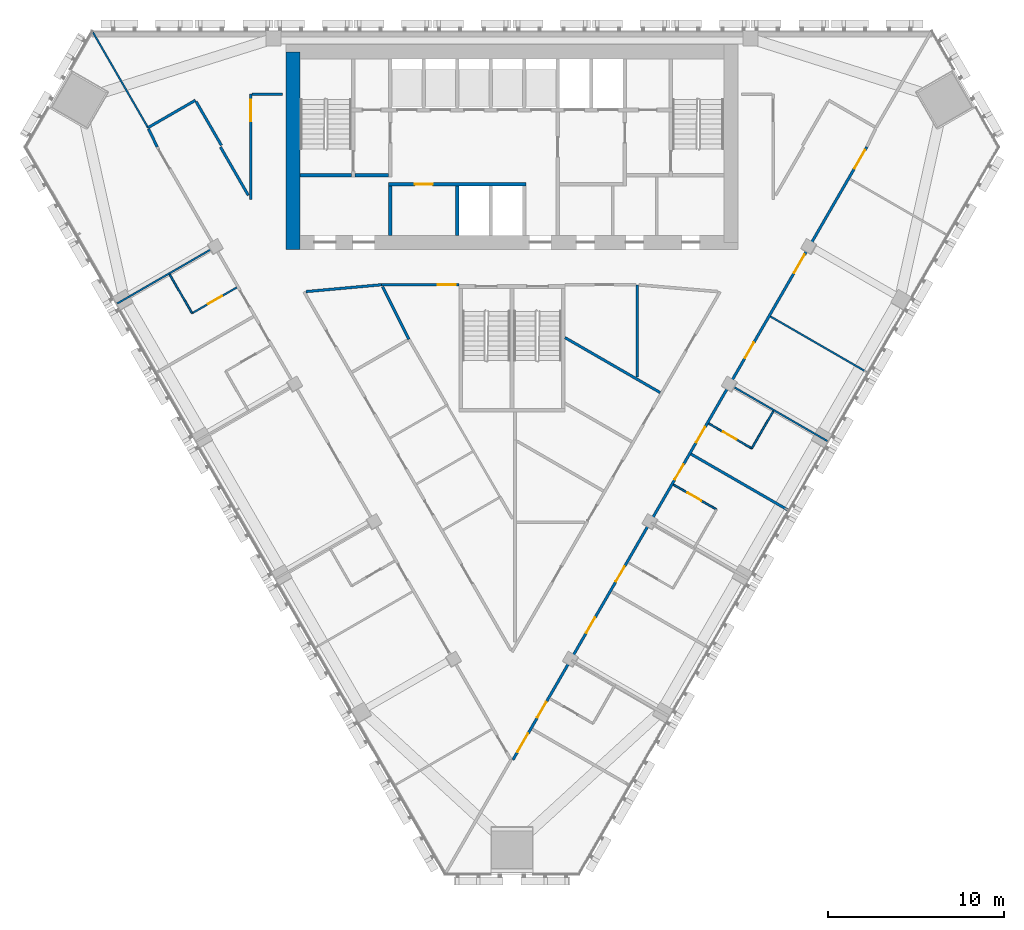
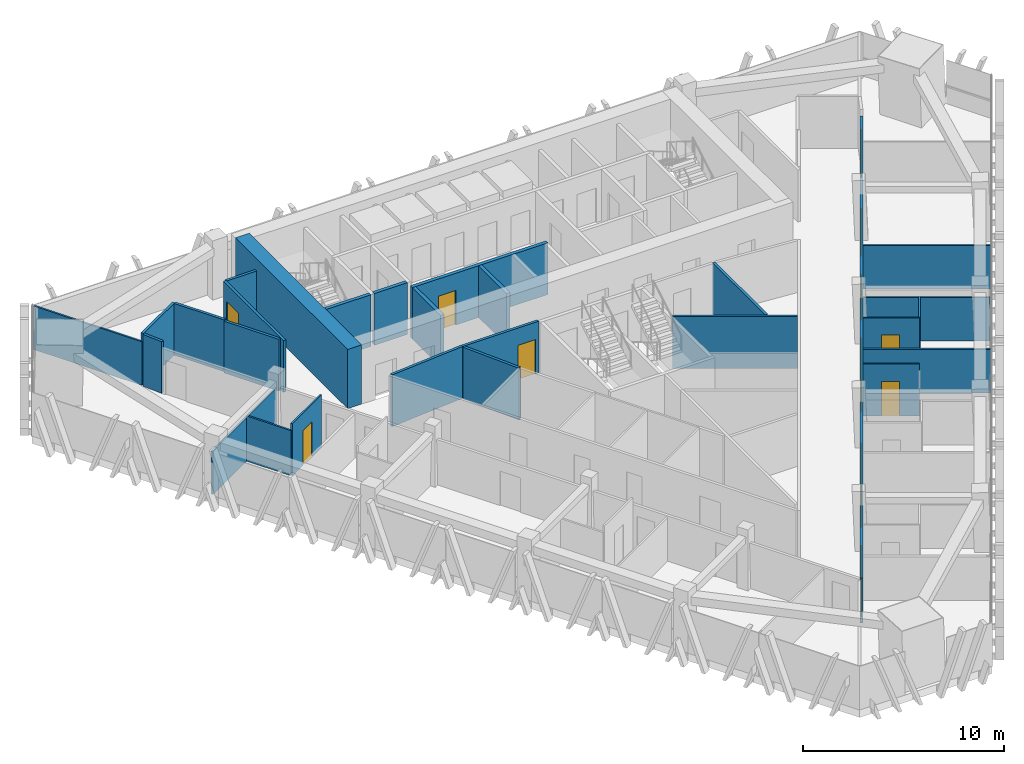
# One storey, part 10 of 16: 28 walls, 15 doors, 15 openings.
"""IFC4 building model written with IfcOpenShell, lengths in metres."""

from ifc_helpers import new_model, si_unit, direction, frame, frame_2d, origin, place, context, subcontext, project, spatial, rectangle, extrude, material, layer, layer_set, type_object, element, fill, save


model = new_model("IFC4")

# Units and contexts
model_context = context("Model", 3, precision=1e-05, world=origin(), true_north=direction((0.0, 1.0)))
body_context = subcontext(model_context, "Body", "Model", "MODEL_VIEW")
ifc_project = project(units=[si_unit("LENGTHUNIT", "METRE"), si_unit("AREAUNIT", "SQUARE_METRE"), si_unit("VOLUMEUNIT", "CUBIC_METRE"), si_unit("PLANEANGLEUNIT", "RADIAN"), si_unit("MASSUNIT", "GRAM", prefix="KILO")], contexts=[model_context])

# Site, building, storey
site_placement = place(None, origin())
site = spatial("IfcSite", under=ifc_project, at=site_placement, CompositionType="ELEMENT")
building_placement = place(site_placement, origin())
building = spatial("IfcBuilding", under=site, at=building_placement, Name="Altiplano Prism Tower", CompositionType="ELEMENT")
storey_placement = place(building_placement, frame((0.0, 0.0, 138.60009765625)))
storey = spatial("IfcBuildingStorey", under=building, at=storey_placement, Name="L35", CompositionType="ELEMENT", Elevation=138.60009765625)

# Wall
ifc_material_1 = material(Name="Concrete C60/75", Category="concrete")
ifc_layer_1 = layer(ifc_material_1, 0.800048828125)
ifc_layer_set_1 = layer_set([ifc_layer_1], Name="Concrete C60/75")
wall_type_1 = type_object("IfcWallType", Name="Core wall 800", PredefinedType="SHEAR", material=ifc_layer_set_1)
wall_1_placement = place(storey_placement, frame((72.60009765625, 103.800048828125, 0.0), z_axis=(0.0, 0.0, 1.0), x_axis=(0.0, -1.0, 0.0)))
element("IfcWall", 1, at=wall_1_placement, inside=storey, type_object=wall_type_1, Name="Core wall W L35", PredefinedType="SHEAR", context=body_context, shape_type="SweptSolid", body=[
    extrude(rectangle(XDim=11.199951171875, YDim=0.800048828125, at=frame_2d((5.60009765625, 0.0))), origin(), (0.0, 0.0, 1.0), 3.599853515625),
])

# Wall, opening, door
ifc_material_2 = material(Name="Plasterboard on steel stud", Category="steel")
ifc_layer_2 = layer(ifc_material_2, 0.10009765625)
ifc_layer_set_2 = layer_set([ifc_layer_2], Name="Plasterboard on steel stud")
wall_type_2 = type_object("IfcWallType", Name="Partition 100 unit", PredefinedType="PARTITIONING", material=ifc_layer_set_2)
wall_2_placement = place(storey_placement, frame((69.407470703125, 90.447021484375, 0.0), z_axis=(0.0, 0.0, 1.0), x_axis=(-0.866046596414, -0.499963291492, 0.0)))
wall_2 = element("IfcWall", 2, at=wall_2_placement, inside=storey, type_object=wall_type_2, Name="Partition P02 L35 030", PredefinedType="PARTITIONING", context=body_context, shape_type="SweptSolid", body=[
    extrude(rectangle(XDim=2.925048828125, YDim=0.10009765625, at=frame_2d((1.46240234375, 0.0))), origin(), (0.0, 0.0, 1.0), 3.14990234375),
])
opening_1_placement = place(wall_2_placement, frame((0.97509765625, 0.0, 0.0)))
opening_1 = element("IfcOpeningElement", 3, at=opening_1_placement, cuts=wall_2, Name="Opening D1265", PredefinedType="OPENING", context=body_context, shape_type="SweptSolid", body=[
    extrude(rectangle(XDim=0.89990234375, YDim=2.10009765625, at=frame_2d((0.449951171875, 1.050048828125))), frame((0.0, 0.060546875, 0.0), z_axis=(0.0, -1.0, 0.0), x_axis=(1.0, 0.0, 0.0)), (0.0, 0.0, 1.0), 0.12109375),
])
ifc_material_3 = material(Name="Timber", Category="wood")
door_type_1 = type_object("IfcDoorType", Name="Ensuite door 900 x 2100", OperationType="NOTDEFINED", PredefinedType="NOTDEFINED", material=ifc_material_3)
door_1_placement = place(opening_1_placement, origin())
door_1 = element("IfcDoor", 4, at=door_1_placement, inside=storey, type_object=door_type_1, Name="Door D1265", OperationType="SINGLE_SWING_RIGHT", OverallHeight=2.10009765625, OverallWidth=0.89990234375, PredefinedType="NOTDEFINED", context=body_context, shape_type="SweptSolid", body=[
    extrude(rectangle(XDim=0.89990234375, YDim=2.10009765625, at=frame_2d((0.449951171875, 1.050048828125))), frame((0.0, 0.02490234375, 0.0), z_axis=(0.0, -1.0, 0.0), x_axis=(1.0, 0.0, 0.0)), (0.0, 0.0, 1.0), 0.050048828125),
])
fill(opening_1, door_1)

# Wall
wall_3_placement = place(storey_placement, frame((66.874267578125, 88.984619140625, 0.0), z_axis=(0.0, 0.0, 1.0), x_axis=(-0.500062241894, 0.865989465428, 0.0)))
element("IfcWall", 5, at=wall_3_placement, inside=storey, type_object=wall_type_2, Name="Partition P02 L35 031", PredefinedType="PARTITIONING", context=body_context, shape_type="SweptSolid", body=[
    extrude(rectangle(XDim=2.550048828125, YDim=0.10009765625, at=frame_2d((1.27490234375, 0.0))), origin(), (0.0, 0.0, 1.0), 2.75),
])

# Wall, opening, door
wall_4_placement = place(storey_placement, frame((94.142578125, 79.275390625, 0.0), z_axis=(0.0, 0.0, 1.0), x_axis=(0.866011447264, -0.500024172624, 0.0)))
wall_4 = element("IfcWall", 6, at=wall_4_placement, inside=storey, type_object=wall_type_2, Name="Partition P02 L35 052", PredefinedType="PARTITIONING", context=body_context, shape_type="SweptSolid", body=[
    extrude(rectangle(XDim=2.824951171875, YDim=0.10009765625, at=frame_2d((1.41259765625, 0.0))), origin(), (0.0, 0.0, 1.0), 3.14990234375),
])
opening_2_placement = place(wall_4_placement, frame((0.925048828125, 0.0, 0.0)))
opening_2 = element("IfcOpeningElement", 7, at=opening_2_placement, cuts=wall_4, Name="Opening D1280", PredefinedType="OPENING", context=body_context, shape_type="SweptSolid", body=[
    extrude(rectangle(XDim=0.89990234375, YDim=2.10009765625, at=frame_2d((0.449951171875, 1.050048828125))), frame((0.0, 0.060546875, 0.0), z_axis=(0.0, -1.0, 0.0), x_axis=(1.0, 0.0, 0.0)), (0.0, 0.0, 1.0), 0.12109375),
])
door_2_placement = place(opening_2_placement, origin())
door_2 = element("IfcDoor", 8, at=door_2_placement, inside=storey, type_object=door_type_1, Name="Door D1280", OperationType="SINGLE_SWING_LEFT", OverallHeight=2.10009765625, OverallWidth=0.89990234375, PredefinedType="NOTDEFINED", context=body_context, shape_type="SweptSolid", body=[
    extrude(rectangle(XDim=0.89990234375, YDim=2.10009765625, at=frame_2d((0.449951171875, 1.050048828125))), frame((0.0, 0.02490234375, 0.0), z_axis=(0.0, -1.0, 0.0), x_axis=(1.0, 0.0, 0.0)), (0.0, 0.0, 1.0), 0.050048828125),
])
fill(opening_2, door_2)

# Wall
wall_5_placement = place(storey_placement, frame((99.814208984375, 83.44873046875, 0.0), z_axis=(0.0, 0.0, 1.0), x_axis=(-0.500018594424, -0.866014668023, 0.0)))
element("IfcWall", 9, at=wall_5_placement, inside=storey, type_object=wall_type_2, Name="Partition P02 L35 055", PredefinedType="PARTITIONING", context=body_context, shape_type="SweptSolid", body=[
    extrude(rectangle(XDim=2.4501953125, YDim=0.10009765625, at=frame_2d((1.22509765625, 0.0))), origin(), (0.0, 0.0, 1.0), 2.75),
])

# Wall, opening, door
wall_6_placement = place(storey_placement, frame((98.589111328125, 81.326904296875, 0.0), z_axis=(0.0, 0.0, 1.0), x_axis=(-0.866011447264, 0.500024172624, 0.0)))
wall_6 = element("IfcWall", 10, at=wall_6_placement, inside=storey, type_object=wall_type_2, Name="Partition P02 L35 056", PredefinedType="PARTITIONING", context=body_context, shape_type="SweptSolid", body=[
    extrude(rectangle(XDim=2.824951171875, YDim=0.10009765625, at=frame_2d((1.41259765625, 0.0))), origin(), (0.0, 0.0, 1.0), 3.14990234375),
])
opening_3_placement = place(wall_6_placement, frame((1.0, 0.0, 0.0)))
opening_3 = element("IfcOpeningElement", 11, at=opening_3_placement, cuts=wall_6, Name="Opening D1282", PredefinedType="OPENING", context=body_context, shape_type="SweptSolid", body=[
    extrude(rectangle(XDim=0.89990234375, YDim=2.10009765625, at=frame_2d((0.449951171875, 1.050048828125))), frame((0.0, 0.060546875, 0.0), z_axis=(0.0, -1.0, 0.0), x_axis=(1.0, 0.0, 0.0)), (0.0, 0.0, 1.0), 0.12109375),
])
door_3_placement = place(opening_3_placement, origin())
door_3 = element("IfcDoor", 12, at=door_3_placement, inside=storey, type_object=door_type_1, Name="Door D1282", OperationType="SINGLE_SWING_LEFT", OverallHeight=2.10009765625, OverallWidth=0.89990234375, PredefinedType="NOTDEFINED", context=body_context, shape_type="SweptSolid", body=[
    extrude(rectangle(XDim=0.89990234375, YDim=2.10009765625, at=frame_2d((0.449951171875, 1.050048828125))), frame((0.0, 0.02490234375, 0.0), z_axis=(0.0, -1.0, 0.0), x_axis=(1.0, 0.0, 0.0)), (0.0, 0.0, 1.0), 0.050048828125),
])
fill(opening_3, door_3)

# Walls
ifc_layer_3 = layer(ifc_material_2, 0.10009765625)
ifc_layer_set_3 = layer_set([ifc_layer_3], Name="Plasterboard on steel stud")
wall_type_3 = type_object("IfcWallType", Name="Partition 100 wet", PredefinedType="PARTITIONING", material=ifc_layer_set_3)
wall_7_placement = place(storey_placement, frame((62.629638671875, 89.536376953125, 0.0), z_axis=(0.0, 0.0, 1.0), x_axis=(0.866042250622, 0.499970819286, 0.0)))
element("IfcWall", 13, at=wall_7_placement, inside=storey, type_object=wall_type_3, Name="Partition P03 L35 028", PredefinedType="PARTITIONING", context=body_context, shape_type="SweptSolid", body=[
    extrude(rectangle(XDim=6.3251953125, YDim=0.10009765625, at=frame_2d((3.16259765625, 0.0))), origin(), (0.0, 0.0, 1.0), 2.64990234375),
])
wall_8_placement = place(storey_placement, frame((64.375732421875, 99.5, 0.0), z_axis=(0.0, 0.0, 1.0), x_axis=(-0.500004896655, 0.866022576681, 0.0)))
element("IfcWall", 14, at=wall_8_placement, inside=storey, type_object=wall_type_3, Name="Partition P03 L35 029", PredefinedType="PARTITIONING", context=body_context, shape_type="SweptSolid", body=[
    extrude(rectangle(XDim=6.2353515625, YDim=0.10009765625, at=frame_2d((3.11767578125, 0.0))), origin(), (0.0, 0.0, 1.0), 2.64990234375),
])
wall_9_placement = place(storey_placement, frame((102.870361328125, 81.741943359375, 0.0), z_axis=(0.0, 0.0, 1.0), x_axis=(-0.866025537322, 0.499999768706, 0.0)))
element("IfcWall", 15, at=wall_9_placement, inside=storey, type_object=wall_type_3, Name="Partition P03 L35 057", PredefinedType="PARTITIONING", context=body_context, shape_type="SweptSolid", body=[
    extrude(rectangle(XDim=6.3251953125, YDim=0.10009765625, at=frame_2d((3.16259765625, 0.0))), origin(), (0.0, 0.0, 1.0), 2.64990234375),
])
wall_10_placement = place(storey_placement, frame((105.1376953125, 85.629150390625, 0.0), z_axis=(0.0, 0.0, 1.0), x_axis=(-0.866025401434, 0.500000004071, 0.0)))
element("IfcWall", 16, at=wall_10_placement, inside=storey, type_object=wall_type_3, Name="Partition P03 L35 058", PredefinedType="PARTITIONING", context=body_context, shape_type="SweptSolid", body=[
    extrude(rectangle(XDim=6.34521484375, YDim=0.10009765625, at=frame_2d((3.172607421875, 0.0))), origin(), (0.0, 0.0, 1.0), 2.64990234375),
])
ifc_layer_4 = layer(ifc_material_2, 0.14990234375)
ifc_layer_set_4 = layer_set([ifc_layer_4], Name="Plasterboard on steel stud")
wall_type_4 = type_object("IfcWallType", Name="Partition 150 corridor", PredefinedType="PARTITIONING", material=ifc_layer_set_4)
wall_11_placement = place(storey_placement, frame((64.40673828125, 99.431884765625, 0.0), z_axis=(0.0, 0.0, 1.0), x_axis=(0.432647343943, -0.901563240033, 0.0)))
element("IfcWall", 17, at=wall_11_placement, inside=storey, type_object=wall_type_4, Name="Partition P06 L35 003", PredefinedType="PARTITIONING", context=body_context, shape_type="SweptSolid", body=[
    extrude(rectangle(XDim=1.1376953125, YDim=0.14990234375, at=frame_2d((0.56884765625, 0.0))), origin(), (0.0, 0.0, 1.0), 3.14990234375),
])

# Wall, openings, doors
wall_12_placement = place(storey_placement, frame((85.05419921875, 63.68359375, 0.0), z_axis=(0.0, 0.0, 1.0), x_axis=(0.499999704591, 0.866025574339, 0.0)))
wall_12 = element("IfcWall", 18, at=wall_12_placement, inside=storey, type_object=wall_type_4, Name="Partition P06 L35 005", PredefinedType="PARTITIONING", context=body_context, shape_type="SweptSolid", body=[
    extrude(rectangle(XDim=40.09423828125, YDim=0.14990234375, at=frame_2d((20.047119140625, 0.0))), origin(), (0.0, 0.0, 1.0), 2.75),
])
opening_4_placement = place(wall_12_placement, frame((0.506103515625, 0.0, 0.0)))
opening_4 = element("IfcOpeningElement", 19, at=opening_4_placement, cuts=wall_12, Name="Opening D1273", PredefinedType="OPENING", context=body_context, shape_type="SweptSolid", body=[
    extrude(rectangle(XDim=1.199951171875, YDim=2.10009765625, at=frame_2d((0.60009765625, 1.050048828125))), frame((0.0, 0.08544921875, 0.0), z_axis=(0.0, -1.0, 0.0), x_axis=(1.0, 0.0, 0.0)), (0.0, 0.0, 1.0), 0.1708984375),
])
opening_5_placement = place(wall_12_placement, frame((2.76708984375, 0.0, 0.0)))
opening_5 = element("IfcOpeningElement", 20, at=opening_5_placement, cuts=wall_12, Name="Opening D1274", PredefinedType="OPENING", context=body_context, shape_type="SweptSolid", body=[
    extrude(rectangle(XDim=1.0, YDim=2.10009765625, at=frame_2d((0.5, 1.050048828125))), frame((0.0, 0.08544921875, 0.0), z_axis=(0.0, -1.0, 0.0), x_axis=(1.0, 0.0, 0.0)), (0.0, 0.0, 1.0), 0.1708984375),
])
opening_6_placement = place(wall_12_placement, frame((8.297119140625, 0.0, 0.0)))
opening_6 = element("IfcOpeningElement", 21, at=opening_6_placement, cuts=wall_12, Name="Opening D1276", PredefinedType="OPENING", context=body_context, shape_type="SweptSolid", body=[
    extrude(rectangle(XDim=1.0, YDim=2.10009765625, at=frame_2d((0.5, 1.050048828125))), frame((0.0, 0.08544921875, 0.0), z_axis=(0.0, -1.0, 0.0), x_axis=(1.0, 0.0, 0.0)), (0.0, 0.0, 1.0), 0.1708984375),
])
opening_7_placement = place(wall_12_placement, frame((11.652099609375, 0.0, 0.0)))
opening_7 = element("IfcOpeningElement", 22, at=opening_7_placement, cuts=wall_12, Name="Opening D1277", PredefinedType="OPENING", context=body_context, shape_type="SweptSolid", body=[
    extrude(rectangle(XDim=1.0, YDim=2.10009765625, at=frame_2d((0.5, 1.050048828125))), frame((0.0, 0.08544921875, 0.0), z_axis=(0.0, -1.0, 0.0), x_axis=(1.0, 0.0, 0.0)), (0.0, 0.0, 1.0), 0.1708984375),
])
opening_8_placement = place(wall_12_placement, frame((18.326904296875, 0.0, 0.0)))
opening_8 = element("IfcOpeningElement", 23, at=opening_8_placement, cuts=wall_12, Name="Opening D1279", PredefinedType="OPENING", context=body_context, shape_type="SweptSolid", body=[
    extrude(rectangle(XDim=1.0, YDim=2.10009765625, at=frame_2d((0.5, 1.050048828125))), frame((0.0, 0.08544921875, 0.0), z_axis=(0.0, -1.0, 0.0), x_axis=(1.0, 0.0, 0.0)), (0.0, 0.0, 1.0), 0.1708984375),
])
opening_9_placement = place(wall_12_placement, frame((20.76708984375, 0.0, 0.0)))
opening_9 = element("IfcOpeningElement", 24, at=opening_9_placement, cuts=wall_12, Name="Opening D1281", PredefinedType="OPENING", context=body_context, shape_type="SweptSolid", body=[
    extrude(rectangle(XDim=1.0, YDim=2.10009765625, at=frame_2d((0.5, 1.050048828125))), frame((0.0, 0.08544921875, 0.0), z_axis=(0.0, -1.0, 0.0), x_axis=(1.0, 0.0, 0.0)), (0.0, 0.0, 1.0), 0.1708984375),
])
opening_10_placement = place(wall_12_placement, frame((26.297119140625, 0.0, 0.0)))
opening_10 = element("IfcOpeningElement", 25, at=opening_10_placement, cuts=wall_12, Name="Opening D1283", PredefinedType="OPENING", context=body_context, shape_type="SweptSolid", body=[
    extrude(rectangle(XDim=1.0, YDim=2.10009765625, at=frame_2d((0.5, 1.050048828125))), frame((0.0, 0.08544921875, 0.0), z_axis=(0.0, -1.0, 0.0), x_axis=(1.0, 0.0, 0.0)), (0.0, 0.0, 1.0), 0.1708984375),
])
opening_11_placement = place(wall_12_placement, frame((31.846923828125, 0.0, 0.0)))
opening_11 = element("IfcOpeningElement", 26, at=opening_11_placement, cuts=wall_12, Name="Opening D1284", PredefinedType="OPENING", context=body_context, shape_type="SweptSolid", body=[
    extrude(rectangle(XDim=1.199951171875, YDim=2.10009765625, at=frame_2d((0.60009765625, 1.050048828125))), frame((0.0, 0.08544921875, 0.0), z_axis=(0.0, -1.0, 0.0), x_axis=(1.0, 0.0, 0.0)), (0.0, 0.0, 1.0), 0.1708984375),
])
opening_12_placement = place(wall_12_placement, frame((38.694091796875, 0.0, 0.0)))
opening_12 = element("IfcOpeningElement", 27, at=opening_12_placement, cuts=wall_12, Name="Opening D1285", PredefinedType="OPENING", context=body_context, shape_type="SweptSolid", body=[
    extrude(rectangle(XDim=1.199951171875, YDim=2.10009765625, at=frame_2d((0.60009765625, 1.050048828125))), frame((0.0, 0.08544921875, 0.0), z_axis=(0.0, -1.0, 0.0), x_axis=(1.0, 0.0, 0.0)), (0.0, 0.0, 1.0), 0.1708984375),
])
door_type_2 = type_object("IfcDoorType", Name="Bedroom entrance door 1000 x 2100", OperationType="NOTDEFINED", PredefinedType="NOTDEFINED", material=ifc_material_3)
door_4_placement = place(opening_5_placement, origin())
door_4 = element("IfcDoor", 28, at=door_4_placement, inside=storey, type_object=door_type_2, Name="Door D1274", OperationType="SINGLE_SWING_RIGHT", OverallHeight=2.10009765625, OverallWidth=1.0, PredefinedType="NOTDEFINED", context=body_context, shape_type="SweptSolid", body=[
    extrude(rectangle(XDim=1.0, YDim=2.10009765625, at=frame_2d((0.5, 1.050048828125))), frame((0.0, 0.02490234375, 0.0), z_axis=(0.0, -1.0, 0.0), x_axis=(1.0, 0.0, 0.0)), (0.0, 0.0, 1.0), 0.050048828125),
])
fill(opening_5, door_4)
door_5_placement = place(opening_7_placement, origin())
door_5 = element("IfcDoor", 29, at=door_5_placement, inside=storey, type_object=door_type_2, Name="Door D1277", OperationType="SINGLE_SWING_LEFT", OverallHeight=2.10009765625, OverallWidth=1.0, PredefinedType="NOTDEFINED", context=body_context, shape_type="SweptSolid", body=[
    extrude(rectangle(XDim=1.0, YDim=2.10009765625, at=frame_2d((0.5, 1.050048828125))), frame((0.0, 0.02490234375, 0.0), z_axis=(0.0, -1.0, 0.0), x_axis=(1.0, 0.0, 0.0)), (0.0, 0.0, 1.0), 0.050048828125),
])
fill(opening_7, door_5)
door_6_placement = place(opening_8_placement, origin())
door_6 = element("IfcDoor", 30, at=door_6_placement, inside=storey, type_object=door_type_2, Name="Door D1279", OperationType="SINGLE_SWING_LEFT", OverallHeight=2.10009765625, OverallWidth=1.0, PredefinedType="NOTDEFINED", context=body_context, shape_type="SweptSolid", body=[
    extrude(rectangle(XDim=1.0, YDim=2.10009765625, at=frame_2d((0.5, 1.050048828125))), frame((0.0, 0.02490234375, 0.0), z_axis=(0.0, -1.0, 0.0), x_axis=(1.0, 0.0, 0.0)), (0.0, 0.0, 1.0), 0.050048828125),
])
fill(opening_8, door_6)
door_7_placement = place(opening_9_placement, origin())
door_7 = element("IfcDoor", 31, at=door_7_placement, inside=storey, type_object=door_type_2, Name="Door D1281", OperationType="SINGLE_SWING_LEFT", OverallHeight=2.10009765625, OverallWidth=1.0, PredefinedType="NOTDEFINED", context=body_context, shape_type="SweptSolid", body=[
    extrude(rectangle(XDim=1.0, YDim=2.10009765625, at=frame_2d((0.5, 1.050048828125))), frame((0.0, 0.02490234375, 0.0), z_axis=(0.0, -1.0, 0.0), x_axis=(1.0, 0.0, 0.0)), (0.0, 0.0, 1.0), 0.050048828125),
])
fill(opening_9, door_7)
door_type_3 = type_object("IfcDoorType", Name="Room door 1000 x 2100", OperationType="NOTDEFINED", PredefinedType="NOTDEFINED", material=ifc_material_3)
door_8_placement = place(opening_6_placement, origin())
door_8 = element("IfcDoor", 32, at=door_8_placement, inside=storey, type_object=door_type_3, Name="Door D1276", OperationType="SINGLE_SWING_LEFT", OverallHeight=2.10009765625, OverallWidth=1.0, PredefinedType="NOTDEFINED", context=body_context, shape_type="SweptSolid", body=[
    extrude(rectangle(XDim=1.0, YDim=2.10009765625, at=frame_2d((0.5, 1.050048828125))), frame((0.0, 0.02490234375, 0.0), z_axis=(0.0, -1.0, 0.0), x_axis=(1.0, 0.0, 0.0)), (0.0, 0.0, 1.0), 0.050048828125),
])
fill(opening_6, door_8)
door_9_placement = place(opening_10_placement, origin())
door_9 = element("IfcDoor", 33, at=door_9_placement, inside=storey, type_object=door_type_3, Name="Door D1283", OperationType="SINGLE_SWING_RIGHT", OverallHeight=2.10009765625, OverallWidth=1.0, PredefinedType="NOTDEFINED", context=body_context, shape_type="SweptSolid", body=[
    extrude(rectangle(XDim=1.0, YDim=2.10009765625, at=frame_2d((0.5, 1.050048828125))), frame((0.0, 0.02490234375, 0.0), z_axis=(0.0, -1.0, 0.0), x_axis=(1.0, 0.0, 0.0)), (0.0, 0.0, 1.0), 0.050048828125),
])
fill(opening_10, door_9)
door_type_4 = type_object("IfcDoorType", Name="Shared room door 1200 x 2100", OperationType="NOTDEFINED", PredefinedType="NOTDEFINED", material=ifc_material_3)
door_10_placement = place(opening_4_placement, origin())
door_10 = element("IfcDoor", 34, at=door_10_placement, inside=storey, type_object=door_type_4, Name="Door D1273", OperationType="SINGLE_SWING_RIGHT", OverallHeight=2.10009765625, OverallWidth=1.199951171875, PredefinedType="NOTDEFINED", context=body_context, shape_type="SweptSolid", body=[
    extrude(rectangle(XDim=1.199951171875, YDim=2.10009765625, at=frame_2d((0.60009765625, 1.050048828125))), frame((0.0, 0.02490234375, 0.0), z_axis=(0.0, -1.0, 0.0), x_axis=(1.0, 0.0, 0.0)), (0.0, 0.0, 1.0), 0.050048828125),
])
fill(opening_4, door_10)
door_11_placement = place(opening_11_placement, origin())
door_11 = element("IfcDoor", 35, at=door_11_placement, inside=storey, type_object=door_type_4, Name="Door D1284", OperationType="SINGLE_SWING_RIGHT", OverallHeight=2.10009765625, OverallWidth=1.199951171875, PredefinedType="NOTDEFINED", context=body_context, shape_type="SweptSolid", body=[
    extrude(rectangle(XDim=1.199951171875, YDim=2.10009765625, at=frame_2d((0.60009765625, 1.050048828125))), frame((0.0, 0.02490234375, 0.0), z_axis=(0.0, -1.0, 0.0), x_axis=(1.0, 0.0, 0.0)), (0.0, 0.0, 1.0), 0.050048828125),
])
fill(opening_11, door_11)
door_12_placement = place(opening_12_placement, origin())
door_12 = element("IfcDoor", 36, at=door_12_placement, inside=storey, type_object=door_type_4, Name="Door D1285", OperationType="SINGLE_SWING_RIGHT", OverallHeight=2.10009765625, OverallWidth=1.199951171875, PredefinedType="NOTDEFINED", context=body_context, shape_type="SweptSolid", body=[
    extrude(rectangle(XDim=1.199951171875, YDim=2.10009765625, at=frame_2d((0.60009765625, 1.050048828125))), frame((0.0, 0.02490234375, 0.0), z_axis=(0.0, -1.0, 0.0), x_axis=(1.0, 0.0, 0.0)), (0.0, 0.0, 1.0), 0.050048828125),
])
fill(opening_12, door_12)

# Wall
wall_13_placement = place(storey_placement, frame((72.0, 101.39990234375, 0.0), z_axis=(0.0, 0.0, 1.0), x_axis=(-1.0, 0.0, 0.0)))
element("IfcWall", 37, at=wall_13_placement, inside=storey, type_object=wall_type_4, Name="Partition P06 L35 012", PredefinedType="PARTITIONING", context=body_context, shape_type="SweptSolid", body=[
    extrude(rectangle(XDim=1.72509765625, YDim=0.14990234375, at=frame_2d((0.862548828125, 0.0))), origin(), (0.0, 0.0, 1.0), 3.14990234375),
])

# Wall, opening, door
wall_14_placement = place(storey_placement, frame((70.199951171875, 101.39990234375, 0.0), z_axis=(0.0, 0.0, 1.0), x_axis=(0.0, -1.0, 0.0)))
wall_14 = element("IfcWall", 38, at=wall_14_placement, inside=storey, type_object=wall_type_4, Name="Partition P06 L35 013", PredefinedType="PARTITIONING", context=body_context, shape_type="SweptSolid", body=[
    extrude(rectangle(XDim=5.9755859375, YDim=0.14990234375, at=frame_2d((2.98779296875, 0.0))), origin(), (0.0, 0.0, 1.0), 3.14990234375),
])
opening_13_placement = place(wall_14_placement, frame((0.3291015625, 0.0, 0.0)))
opening_13 = element("IfcOpeningElement", 39, at=opening_13_placement, cuts=wall_14, Name="Opening D1287", PredefinedType="OPENING", context=body_context, shape_type="SweptSolid", body=[
    extrude(rectangle(XDim=1.199951171875, YDim=2.10009765625, at=frame_2d((0.60009765625, 1.050048828125))), frame((0.0, 0.08544921875, 0.0), z_axis=(0.0, -1.0, 0.0), x_axis=(1.0, 0.0, 0.0)), (0.0, 0.0, 1.0), 0.1708984375),
])
door_13_placement = place(opening_13_placement, origin())
door_13 = element("IfcDoor", 40, at=door_13_placement, inside=storey, type_object=door_type_4, Name="Door D1287", OperationType="SINGLE_SWING_LEFT", OverallHeight=2.10009765625, OverallWidth=1.199951171875, PredefinedType="NOTDEFINED", context=body_context, shape_type="SweptSolid", body=[
    extrude(rectangle(XDim=1.199951171875, YDim=2.10009765625, at=frame_2d((0.60009765625, 1.050048828125))), frame((0.0, 0.02490234375, 0.0), z_axis=(0.0, -1.0, 0.0), x_axis=(1.0, 0.0, 0.0)), (0.0, 0.0, 1.0), 0.050048828125),
])
fill(opening_13, door_13)

# Walls
wall_15_placement = place(storey_placement, frame((70.06005859375, 95.66650390625, 0.0), z_axis=(0.0, 0.0, 1.0), x_axis=(-0.499998569178, 0.866026229868, 0.0)))
element("IfcWall", 41, at=wall_15_placement, inside=storey, type_object=wall_type_4, Name="Partition P06 L35 014", PredefinedType="PARTITIONING", context=body_context, shape_type="SweptSolid", body=[
    extrude(rectangle(XDim=3.16357421875, YDim=0.14990234375, at=frame_2d((1.581787109375, 0.0))), origin(), (0.0, 0.0, 1.0), 3.14990234375),
])
wall_16_placement = place(storey_placement, frame((68.532470703125, 98.5, 0.0), z_axis=(0.0, 0.0, 1.0), x_axis=(-0.499945861543, 0.866056658381, 0.0)))
element("IfcWall", 42, at=wall_16_placement, inside=storey, type_object=wall_type_4, Name="Partition P06 L35 015", PredefinedType="PARTITIONING", context=body_context, shape_type="SweptSolid", body=[
    extrude(rectangle(XDim=2.869384765625, YDim=0.14990234375, at=frame_2d((1.4345703125, 0.0))), origin(), (0.0, 0.0, 1.0), 3.14990234375),
])
wall_17_placement = place(storey_placement, frame((67.060302734375, 101.050048828125, 0.0), z_axis=(0.0, 0.0, 1.0), x_axis=(-0.86600983753, -0.500026960575, 0.0)))
element("IfcWall", 43, at=wall_17_placement, inside=storey, type_object=wall_type_4, Name="Partition P06 L35 016", PredefinedType="PARTITIONING", context=body_context, shape_type="SweptSolid", body=[
    extrude(rectangle(XDim=3.099853515625, YDim=0.14990234375, at=frame_2d((1.5498046875, 0.0))), origin(), (0.0, 0.0, 1.0), 3.14990234375),
])

# Wall, opening, door
wall_18_placement = place(storey_placement, frame((77.60888671875, 90.59912109375, 0.0), z_axis=(0.0, 0.0, 1.0), x_axis=(0.99999997527, 0.000222395191, 0.0)))
wall_18 = element("IfcWall", 44, at=wall_18_placement, inside=storey, type_object=wall_type_4, Name="Partition P06 L35 017", PredefinedType="PARTITIONING", context=body_context, shape_type="SweptSolid", body=[
    extrude(rectangle(XDim=4.39111328125, YDim=0.14990234375, at=frame_2d((2.195556640625, 0.0))), origin(), (0.0, 0.0, 1.0), 3.14990234375),
])
opening_14_placement = place(wall_18_placement, frame((3.19091796875, 0.0, 0.0)))
opening_14 = element("IfcOpeningElement", 45, at=opening_14_placement, cuts=wall_18, Name="Opening D1288", PredefinedType="OPENING", context=body_context, shape_type="SweptSolid", body=[
    extrude(rectangle(XDim=1.0, YDim=2.10009765625, at=frame_2d((0.5, 1.050048828125))), frame((0.0, 0.08544921875, 0.0), z_axis=(0.0, -1.0, 0.0), x_axis=(1.0, 0.0, 0.0)), (0.0, 0.0, 1.0), 0.1708984375),
])
door_type_5 = type_object("IfcDoorType", Name="Store door 1000 x 2100", OperationType="NOTDEFINED", PredefinedType="NOTDEFINED", material=ifc_material_3)
door_14_placement = place(opening_14_placement, origin())
door_14 = element("IfcDoor", 46, at=door_14_placement, inside=storey, type_object=door_type_5, Name="Door D1288", OperationType="SINGLE_SWING_LEFT", OverallHeight=2.10009765625, OverallWidth=1.0, PredefinedType="NOTDEFINED", context=body_context, shape_type="SweptSolid", body=[
    extrude(rectangle(XDim=1.0, YDim=2.10009765625, at=frame_2d((0.5, 1.050048828125))), frame((0.0, 0.02490234375, 0.0), z_axis=(0.0, -1.0, 0.0), x_axis=(1.0, 0.0, 0.0)), (0.0, 0.0, 1.0), 0.050048828125),
])
fill(opening_14, door_14)

# Walls
wall_19_placement = place(storey_placement, frame((73.3330078125, 90.210693359375, 0.0), z_axis=(0.0, 0.0, 1.0), x_axis=(0.995899263414, 0.090469094901, 0.0)))
element("IfcWall", 47, at=wall_19_placement, inside=storey, type_object=wall_type_4, Name="Partition P06 L35 019", PredefinedType="PARTITIONING", context=body_context, shape_type="SweptSolid", body=[
    extrude(rectangle(XDim=4.29345703125, YDim=0.14990234375, at=frame_2d((2.146728515625, 0.0))), origin(), (0.0, 0.0, 1.0), 3.14990234375),
])
ifc_layer_5 = layer(ifc_material_2, 0.14990234375)
ifc_layer_set_5 = layer_set([ifc_layer_5], Name="Plasterboard on steel stud")
wall_type_5 = type_object("IfcWallType", Name="Partition 150 party", PredefinedType="PARTITIONING", material=ifc_layer_set_5)
wall_20_placement = place(storey_placement, frame((100.6376953125, 77.834716796875, 0.0), z_axis=(0.0, 0.0, 1.0), x_axis=(-0.866025401434, 0.500000004071, 0.0)))
element("IfcWall", 48, at=wall_20_placement, inside=storey, type_object=wall_type_5, Name="Partition P01 L35 054", PredefinedType="PARTITIONING", context=body_context, shape_type="SweptSolid", body=[
    extrude(rectangle(XDim=6.34521484375, YDim=0.14990234375, at=frame_2d((3.172607421875, 0.0))), origin(), (0.0, 0.0, 1.0), 2.64990234375),
])
wall_21_placement = place(storey_placement, frame((77.66357421875, 90.490234375, 0.0), z_axis=(0.0, 0.0, 1.0), x_axis=(0.449114371816, -0.893474275527, 0.0)))
element("IfcWall", 49, at=wall_21_placement, inside=storey, type_object=wall_type_5, Name="Partition P01 L35 064", PredefinedType="PARTITIONING", context=body_context, shape_type="SweptSolid", body=[
    extrude(rectangle(XDim=3.337646484375, YDim=0.14990234375, at=frame_2d((1.6689453125, 0.0))), origin(), (0.0, 0.0, 1.0), 3.14990234375),
])
wall_22_placement = place(storey_placement, frame((93.399658203125, 84.48828125, 0.0), z_axis=(0.0, 0.0, 1.0), x_axis=(-0.866029742693, 0.499992484715, 0.0)))
element("IfcWall", 50, at=wall_22_placement, inside=storey, type_object=wall_type_5, Name="Partition P01 L35 066", PredefinedType="PARTITIONING", context=body_context, shape_type="SweptSolid", body=[
    extrude(rectangle(XDim=6.23486328125, YDim=0.14990234375, at=frame_2d((3.117431640625, 0.0))), origin(), (0.0, 0.0, 1.0), 3.14990234375),
])
wall_23_placement = place(storey_placement, frame((92.10400390625, 90.59912109375, 0.0), z_axis=(0.0, 0.0, 1.0), x_axis=(0.0, -1.0, 0.0)))
element("IfcWall", 51, at=wall_23_placement, inside=storey, type_object=wall_type_5, Name="Partition P01 L35 067", PredefinedType="PARTITIONING", context=body_context, shape_type="SweptSolid", body=[
    extrude(rectangle(XDim=5.23291015625, YDim=0.14990234375, at=frame_2d((2.616455078125, 0.0))), origin(), (0.0, 0.0, 1.0), 3.14990234375),
])
ifc_layer_6 = layer(ifc_material_1, 0.199951171875)
ifc_layer_set_6 = layer_set([ifc_layer_6], Name="Concrete C60/75")
wall_type_6 = type_object("IfcWallType", Name="Shaft wall 200", PredefinedType="SOLIDWALL", material=ifc_layer_set_6)
wall_24_placement = place(storey_placement, frame((81.89990234375, 93.39990234375, 0.0), z_axis=(0.0, 0.0, 1.0), x_axis=(0.0, 1.0, 0.0)))
element("IfcWall", 52, at=wall_24_placement, inside=storey, type_object=wall_type_6, Name="Shaft wall L35", PredefinedType="SOLIDWALL", context=body_context, shape_type="SweptSolid", body=[
    extrude(rectangle(XDim=2.800048828125, YDim=0.199951171875, at=frame_2d((1.39990234375, 0.0))), origin(), (0.0, 0.0, 1.0), 3.14990234375),
])

# Wall, opening, door
wall_25_placement = place(storey_placement, frame((78.0, 96.300048828125, 0.0), z_axis=(0.0, 0.0, 1.0), x_axis=(1.0, 0.0, 0.0)))
wall_25 = element("IfcWall", 53, at=wall_25_placement, inside=storey, type_object=wall_type_6, Name="Shaft wall L35", PredefinedType="SOLIDWALL", context=body_context, shape_type="SweptSolid", body=[
    extrude(rectangle(XDim=7.800048828125, YDim=0.199951171875, at=frame_2d((3.89990234375, 0.0))), origin(), (0.0, 0.0, 1.0), 3.14990234375),
])
opening_15_placement = place(wall_25_placement, frame((1.5, 0.0, 0.0)))
opening_15 = element("IfcOpeningElement", 54, at=opening_15_placement, cuts=wall_25, Name="Opening D3066", PredefinedType="OPENING", context=body_context, shape_type="SweptSolid", body=[
    extrude(rectangle(XDim=1.0, YDim=2.10009765625, at=frame_2d((0.5, 1.050048828125))), frame((0.0, 0.1103515625, 0.0), z_axis=(0.0, -1.0, 0.0), x_axis=(1.0, 0.0, 0.0)), (0.0, 0.0, 1.0), 0.220947265625),
])
ifc_material_4 = material(Name="Fire-rated steel door", Category="steel")
door_type_6 = type_object("IfcDoorType", Name="Core room door 1000 x 2100", OperationType="NOTDEFINED", PredefinedType="NOTDEFINED", material=ifc_material_4)
door_15_placement = place(opening_15_placement, origin())
door_15 = element("IfcDoor", 55, at=door_15_placement, inside=storey, type_object=door_type_6, Name="Core room door D3066", OperationType="SINGLE_SWING_RIGHT", OverallHeight=2.10009765625, OverallWidth=1.0, PredefinedType="NOTDEFINED", context=body_context, shape_type="SweptSolid", body=[
    extrude(rectangle(XDim=1.0, YDim=2.10009765625, at=frame_2d((0.5, 1.050048828125))), frame((0.0, 0.02490234375, 0.0), z_axis=(0.0, -1.0, 0.0), x_axis=(1.0, 0.0, 0.0)), (0.0, 0.0, 1.0), 0.050048828125),
])
fill(opening_15, door_15)

# Walls
ifc_layer_7 = layer(ifc_material_1, 0.199951171875)
ifc_layer_set_7 = layer_set([ifc_layer_7], Name="Concrete C60/75")
wall_type_7 = type_object("IfcWallType", Name="Stair wall 200", PredefinedType="SOLIDWALL", material=ifc_layer_set_7)
wall_26_placement = place(storey_placement, frame((73.0, 96.800048828125, 0.0), z_axis=(0.0, 0.0, 1.0), x_axis=(1.0, 0.0, 0.0)))
element("IfcWall", 56, at=wall_26_placement, inside=storey, type_object=wall_type_7, Name="Stair wall L35", PredefinedType="SOLIDWALL", context=body_context, shape_type="SweptSolid", body=[
    extrude(rectangle(XDim=2.89990234375, YDim=0.199951171875, at=frame_2d((1.449951171875, 0.0))), origin(), (0.0, 0.0, 1.0), 3.14990234375),
])
ifc_layer_8 = layer(ifc_material_1, 0.199951171875)
ifc_layer_set_8 = layer_set([ifc_layer_8], Name="Concrete C60/75")
wall_type_8 = type_object("IfcWallType", Name="Vestibule wall 200", PredefinedType="PARTITIONING", material=ifc_layer_set_8)
wall_27_placement = place(storey_placement, frame((78.10009765625, 93.39990234375, 0.0), z_axis=(0.0, 0.0, 1.0), x_axis=(0.0, 1.0, 0.0)))
element("IfcWall", 57, at=wall_27_placement, inside=storey, type_object=wall_type_8, Name="Vestibule wall L35", PredefinedType="PARTITIONING", context=body_context, shape_type="SweptSolid", body=[
    extrude(rectangle(XDim=2.800048828125, YDim=0.199951171875, at=frame_2d((1.39990234375, 0.0))), origin(), (0.0, 0.0, 1.0), 3.14990234375),
])
wall_28_placement = place(storey_placement, frame((76.10009765625, 96.800048828125, 0.0), z_axis=(0.0, 0.0, 1.0), x_axis=(1.0, 0.0, 0.0)))
element("IfcWall", 58, at=wall_28_placement, inside=storey, type_object=wall_type_8, Name="Vestibule wall L35", PredefinedType="PARTITIONING", context=body_context, shape_type="SweptSolid", body=[
    extrude(rectangle(XDim=1.89990234375, YDim=0.199951171875, at=frame_2d((0.949951171875, 0.0))), origin(), (0.0, 0.0, 1.0), 3.14990234375),
])

save(model, "model.ifc")
